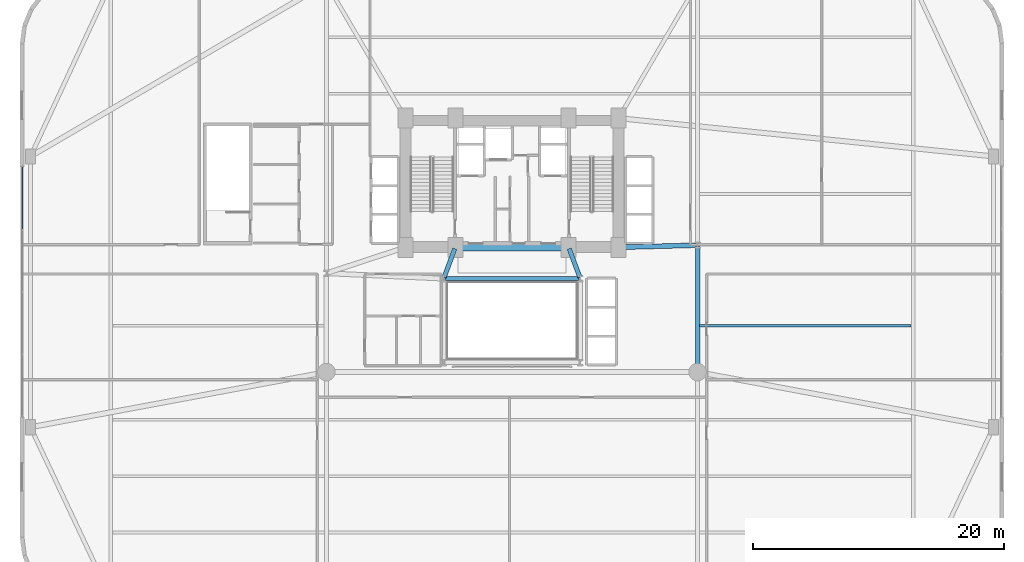
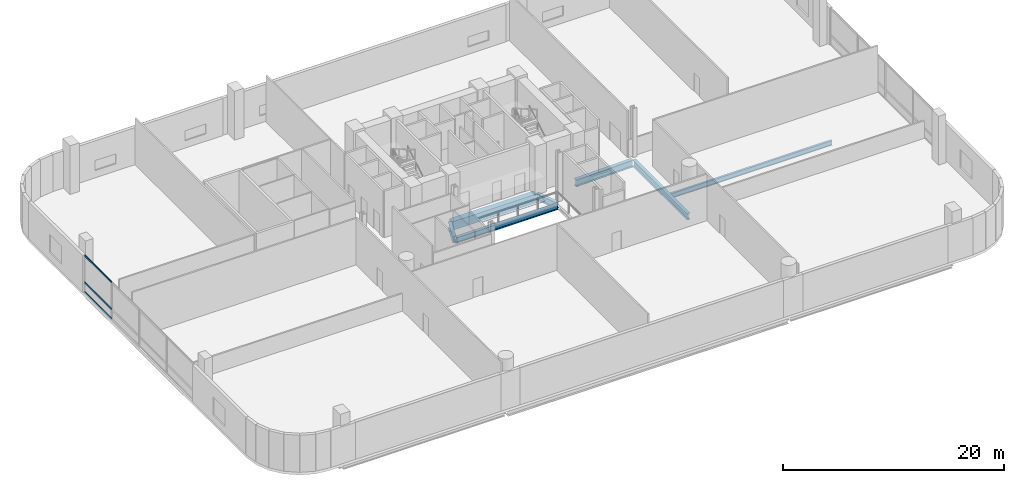
# One storey, part 13 of 31: 7 beams, 3 members, 1 element without a shape of its own.
"""IFC4 building model written with IfcOpenShell, lengths in metres."""

from ifc_helpers import new_model, si_unit, direction, frame, origin, origin_2d, place, context, subcontext, project, spatial, rectangle, hollow_rectangle, i_section, extrude, material, layer, layer_set, material_profile, profile_set, type_object, element, aggregate, save


model = new_model("IFC4")

# Units and contexts
model_context = context("Model", 3, precision=1e-05, world=origin(), true_north=direction((0.0, 1.0)))
body_context = subcontext(model_context, "Body", "Model", "MODEL_VIEW")
ifc_project = project(units=[si_unit("LENGTHUNIT", "METRE"), si_unit("AREAUNIT", "SQUARE_METRE"), si_unit("VOLUMEUNIT", "CUBIC_METRE"), si_unit("PLANEANGLEUNIT", "RADIAN"), si_unit("MASSUNIT", "GRAM", prefix="KILO")], contexts=[model_context])

# Site, building, storey
site_placement = place(None, origin())
site = spatial("IfcSite", under=ifc_project, at=site_placement, CompositionType="ELEMENT")
building_placement = place(site_placement, origin())
building = spatial("IfcBuilding", under=site, at=building_placement, Name="Varnelok Gate Tower", CompositionType="ELEMENT")
storey_placement = place(building_placement, frame((0.0, 0.0, 21.60009765625)))
storey = spatial("IfcBuildingStorey", under=building, at=storey_placement, Name="L04", CompositionType="ELEMENT", Elevation=21.60009765625)

# Beams
ifc_material_1 = material(Name="Structural Steel ASTM A992 Grade 50", Category="steel")
ifc_material_profile_1 = material_profile(ifc_material_1, i_section(OverallWidth=0.2119140625, OverallDepth=0.5439453125, WebThickness=0.01318359375, FlangeThickness=0.021240234375, FilletRadius=0.01611328125, at=origin_2d()), Name="W21X83")
ifc_profile_set_1 = profile_set([ifc_material_profile_1], Name="Structural Steel ASTM A992 Grade 50")
beam_type_1 = type_object("IfcBeamType", Name="BM-JST-W21X83", PredefinedType="JOIST", material=ifc_profile_set_1)
beam_1_placement = place(storey_placement, frame((54.159912109375, 22.5, -0.592041015625), z_axis=(1.0, 0.0, 0.0), x_axis=(0.0, 1.0, 0.0)))
element("IfcBeam", 1, at=beam_1_placement, inside=storey, type_object=beam_type_1, Name="L04 Podium Floor Joist", PredefinedType="JOIST", context=body_context, shape_type="SweptSolid", body=[
    extrude(i_section(OverallWidth=0.2119140625, OverallDepth=0.5439453125, WebThickness=0.01318359375, FlangeThickness=0.021240234375, FilletRadius=0.01611328125, at=origin_2d()), origin(), (0.0, 0.0, 1.0), 16.880126953125),
])
ifc_material_2 = material(Name="Concrete C60/75", Category="concrete")
ifc_material_profile_2 = material_profile(ifc_material_2, rectangle(XDim=0.60009765625, YDim=0.949951171875, at=origin_2d()), Name="RC950X600")
ifc_profile_set_2 = profile_set([ifc_material_profile_2], Name="Concrete C60/75")
beam_type_2 = type_object("IfcBeamType", Name="BM-LNT-RC950", PredefinedType="LINTEL", material=ifc_profile_set_2)
beam_2_placement = place(storey_placement, frame((34.800048828125, 28.75, -0.795166015625), z_axis=(1.0, 0.0, 0.0), x_axis=(0.0, 1.0, 0.0)))
element("IfcBeam", 2, at=beam_2_placement, inside=storey, type_object=beam_type_2, Name="L04 Core-Atrium Spine Beam 7", PredefinedType="LINTEL", context=body_context, shape_type="SweptSolid", body=[
    extrude(rectangle(XDim=0.60009765625, YDim=0.949951171875, at=origin_2d()), origin(), (0.0, 0.0, 1.0), 8.800048828125),
])
ifc_material_profile_3 = material_profile(ifc_material_1, i_section(OverallWidth=0.35498046875, OverallDepth=0.696044921875, WebThickness=0.015380859375, FlangeThickness=0.02490234375, FilletRadius=0.02001953125, at=origin_2d()), Name="W27X146")
ifc_profile_set_3 = profile_set([ifc_material_profile_3], Name="Structural Steel ASTM A992 Grade 50")
beam_type_3 = type_object("IfcBeamType", Name="BM-PRI-W27X146", PredefinedType="BEAM", material=ifc_profile_set_3)
for number, where, z_axis, x_axis, name in (
    (3, (33.791748046875, 26.362548828125, -0.668212890625), (0.348719329408, 0.937227202602, 0.0), (-0.937227202602, 0.348719329408, 0.0), "L04 Core-Atrium Spine Beam 12"),
    (4, (44.608154296875, 26.362548828125, -0.668212890625), (-0.348719329408, 0.937227202602, 0.0), (-0.937227202602, -0.348719329408, 0.0), "L04 Core-Atrium Spine Beam 13"),
):
    element("IfcBeam", number, at=place(storey_placement, frame(where, z_axis=z_axis, x_axis=x_axis)), inside=storey, type_object=beam_type_3, Name=name, PredefinedType="BEAM", context=body_context, shape_type="SweptSolid", body=[
        extrude(i_section(OverallWidth=0.35498046875, OverallDepth=0.696044921875, WebThickness=0.015380859375, FlangeThickness=0.02490234375, FilletRadius=0.02001953125, at=origin_2d()), origin(), (0.0, 0.0, 1.0), 2.42724609375),
    ])
beam_3_placement = place(storey_placement, frame((54.0, 18.919921875, -0.668212890625), z_axis=(0.0, 1.0, 0.0), x_axis=(-1.0, 0.0, 0.0)))
element("IfcBeam", 5, at=beam_3_placement, inside=storey, type_object=beam_type_3, Name="L04 Core-Atrium Spine Beam 20", PredefinedType="BEAM", context=body_context, shape_type="SweptSolid", body=[
    extrude(i_section(OverallWidth=0.35498046875, OverallDepth=0.696044921875, WebThickness=0.015380859375, FlangeThickness=0.02490234375, FilletRadius=0.02001953125, at=origin_2d()), origin(), (0.0, 0.0, 1.0), 9.880126953125),
])
ifc_material_profile_4 = material_profile(ifc_material_1, i_section(OverallWidth=0.381103515625, OverallDepth=0.77294921875, WebThickness=0.0166015625, FlangeThickness=0.027099609375, FilletRadius=0.02197265625, at=origin_2d()), Name="W30X173")
ifc_profile_set_4 = profile_set([ifc_material_profile_4], Name="Structural Steel ASTM A992 Grade 50")
beam_type_4 = type_object("IfcBeamType", Name="BM-PRI-W30X173", PredefinedType="BEAM", material=ifc_profile_set_4)
beam_4_placement = place(storey_placement, frame((47.820068359375, 28.753173828125, -0.70654296875), z_axis=(0.999635880609, 0.026983443053, 0.0), x_axis=(-0.026983443053, 0.999635880609, 0.0)))
element("IfcBeam", 6, at=beam_4_placement, inside=storey, type_object=beam_type_4, Name="L04 Core-Atrium Spine Beam 19", PredefinedType="BEAM", context=body_context, shape_type="SweptSolid", body=[
    extrude(i_section(OverallWidth=0.381103515625, OverallDepth=0.77294921875, WebThickness=0.0166015625, FlangeThickness=0.027099609375, FilletRadius=0.02197265625, at=origin_2d()), origin(), (0.0, 0.0, 1.0), 6.06201171875),
])
ifc_material_profile_5 = material_profile(ifc_material_1, i_section(OverallWidth=0.323974609375, OverallDepth=0.611083984375, WebThickness=0.0126953125, FlangeThickness=0.01904296875, FilletRadius=0.01806640625, at=origin_2d()), Name="W24X104")
ifc_profile_set_5 = profile_set([ifc_material_profile_5], Name="Structural Steel ASTM A992 Grade 50")
beam_type_5 = type_object("IfcBeamType", Name="BM-SPN-W24X104", PredefinedType="SPANDREL", material=ifc_profile_set_5)
beam_5_placement = place(storey_placement, frame((33.8701171875, 26.25, -0.62548828125), z_axis=(1.0, 0.0, 0.0), x_axis=(0.0, 1.0, 0.0)))
element("IfcBeam", 7, at=beam_5_placement, inside=storey, type_object=beam_type_5, Name="L04 Core-Atrium Spine Beam 9", PredefinedType="SPANDREL", context=body_context, shape_type="SweptSolid", body=[
    extrude(i_section(OverallWidth=0.323974609375, OverallDepth=0.611083984375, WebThickness=0.0126953125, FlangeThickness=0.01904296875, FilletRadius=0.01806640625, at=origin_2d()), origin(), (0.0, 0.0, 1.0), 10.659912109375),
])

# Curtain wall, members
ifc_material_3 = material(Name="Anodized Aluminum Alloy 6063-T6", Category="aluminium")
ifc_layer = layer(ifc_material_3, 0.179931640625)
ifc_layer_set = layer_set([ifc_layer], Name="Anodized Aluminum Alloy 6063-T6")
curtain_wall_type = type_object("IfcCurtainWallType", Name="CW1-ARCH-PORTAL", PredefinedType="USERDEFINED", material=ifc_layer_set)
curtain_wall_placement = place(storey_placement, origin())
curtain_wall = element("IfcCurtainWall", 8, at=curtain_wall_placement, inside=storey, type_object=curtain_wall_type, Name="L04 Podium Portal Curtain Wall W", ObjectType="UNITISED CURTAIN WALL", PredefinedType="USERDEFINED")
ifc_material_profile_6 = material_profile(ifc_material_3, hollow_rectangle(XDim=0.074951171875, YDim=0.199951171875, WallThickness=0.00390625, at=origin_2d()), Name="ALU200X75X4")
ifc_profile_set_6 = profile_set([ifc_material_profile_6], Name="Anodized Aluminum Alloy 6063-T6")
member_type = type_object("IfcMemberType", Name="CW-TRAN-200", PredefinedType="USERDEFINED", material=ifc_profile_set_6)
member_1_placement = place(storey_placement, frame((0.159912109375, 30.237548828125, 0.037353515625), z_axis=(0.0, 1.0, 0.0), x_axis=(-1.0, 0.0, 0.0)))
member_1 = element("IfcMember", 9, at=member_1_placement, type_object=member_type, Name="CW1 transom 4.1", ObjectType="TRANSOM", PredefinedType="USERDEFINED", context=body_context, shape_type="SweptSolid", body=[
    extrude(hollow_rectangle(XDim=0.074951171875, YDim=0.199951171875, WallThickness=0.00390625, at=origin_2d()), origin(), (0.0, 0.0, 1.0), 4.887451171875),
])
member_2_placement = place(storey_placement, frame((0.159912109375, 30.237548828125, 1.099853515625), z_axis=(0.0, 1.0, 0.0), x_axis=(-1.0, 0.0, 0.0)))
member_2 = element("IfcMember", 10, at=member_2_placement, type_object=member_type, Name="CW1 transom 4.2", ObjectType="TRANSOM", PredefinedType="USERDEFINED", context=body_context, shape_type="SweptSolid", body=[
    extrude(hollow_rectangle(XDim=0.074951171875, YDim=0.199951171875, WallThickness=0.00390625, at=origin_2d()), origin(), (0.0, 0.0, 1.0), 4.887451171875),
])
member_3_placement = place(storey_placement, frame((0.159912109375, 30.237548828125, 4.0625), z_axis=(0.0, 1.0, 0.0), x_axis=(-1.0, 0.0, 0.0)))
member_3 = element("IfcMember", 11, at=member_3_placement, type_object=member_type, Name="CW1 transom 4.3", ObjectType="TRANSOM", PredefinedType="USERDEFINED", context=body_context, shape_type="SweptSolid", body=[
    extrude(hollow_rectangle(XDim=0.074951171875, YDim=0.199951171875, WallThickness=0.00390625, at=origin_2d()), origin(), (0.0, 0.0, 1.0), 4.887451171875),
])
aggregate(curtain_wall, [member_1, member_2, member_3])

save(model, "model.ifc")
